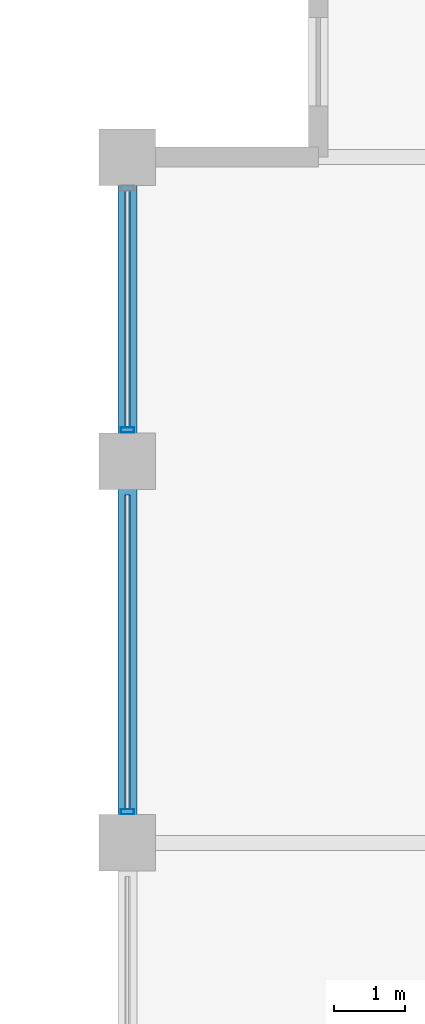
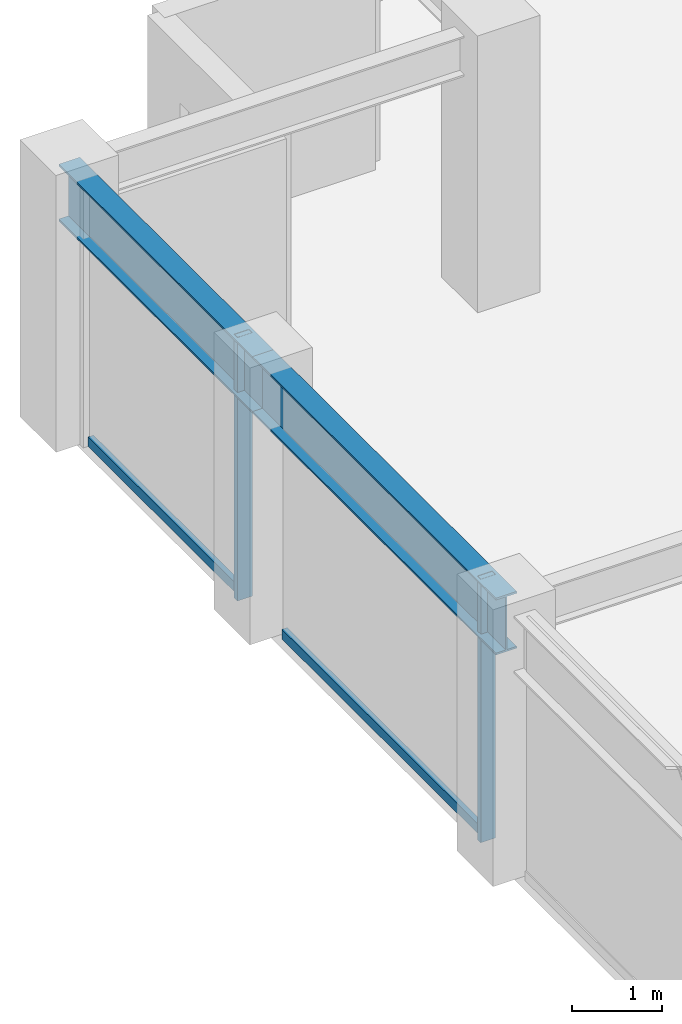
# One storey, part 14 of 30: 4 members, 2 beams, 1 element without a shape of its own.
"""IFC4 building model written with IfcOpenShell, lengths in metres."""

import ifcopenshell
import ifcopenshell.guid

model = None  # the IFC model being written
_history = None  # IfcOwnerHistory: only IFC2X3 demands one
_inside = {}  # id of a spatial element -> (the spatial element, [elements in it])
_under = {}  # id of a project, library or spatial element -> (it, [spatial elements below it])
_declared = {}  # id of a project -> (the project, [libraries it declares])
_typed = {}  # id of a type object -> (the type object, [elements of that type])
_made_of = {}  # id of a material, layer set ... -> (it, [elements and type objects made of it])


def new_model(schema):
    """Start an empty IFC model of exactly this schema.

    Asked for "IFC4X3", IfcOpenShell would pick the latest addendum, in which some entities
    have other attributes; the version numbers below select the first issue.
    IFC2X3 requires an IfcOwnerHistory on every rooted entity: one is made here for all.
    """
    global model, _history
    if schema == "IFC4X3":
        model = ifcopenshell.file(schema_version=(4, 3, 0, 0))
    else:
        model = ifcopenshell.file(schema=schema)
    _inside.clear()
    _under.clear()
    _declared.clear()
    _typed.clear()
    _made_of.clear()
    _history = None
    if model.schema == "IFC2X3":
        org = make("IfcOrganization", Name="unknown")
        user = make(
            "IfcPersonAndOrganization",
            ThePerson=make("IfcPerson", FamilyName="unknown"),
            TheOrganization=org,
        )
        app = make(
            "IfcApplication",
            ApplicationDeveloper=org,
            Version="unknown",
            ApplicationFullName="unknown",
            ApplicationIdentifier="unknown",
        )
        _history = make(
            "IfcOwnerHistory",
            OwningUser=user,
            OwningApplication=app,
            ChangeAction="ADDED",
            CreationDate=0,
        )
    return model


def make(cls, **values):
    """One entity of the class cls with the attributes given. An attribute that is None is left unset."""
    return model.create_entity(
        cls, **{name: value for name, value in values.items() if value is not None}
    )


def rooted(cls, **values):
    """An entity with a GlobalId (a new one), such as an element, a storey or a relation."""
    return make(cls, GlobalId=ifcopenshell.guid.new(), OwnerHistory=_history, **values)


def si_unit(unit_type, name, prefix=None):
    """IfcSIUnit, for example si_unit("LENGTHUNIT", "METRE", prefix="MILLI")."""
    return make("IfcSIUnit", UnitType=unit_type, Prefix=prefix, Name=name)


def assignment(units):
    """IfcUnitAssignment: the units of a project."""
    return None if units is None else make("IfcUnitAssignment", Units=units)


def point(xyz):
    """IfcCartesianPoint."""
    return None if xyz is None else make("IfcCartesianPoint", Coordinates=xyz)


def direction(xyz):
    """IfcDirection."""
    return None if xyz is None else make("IfcDirection", DirectionRatios=xyz)


def frame(location, z_axis=None, x_axis=None):
    """IfcAxis2Placement3D, a coordinate frame: its origin and axes. An axis left out is left unset."""
    return make(
        "IfcAxis2Placement3D",
        Location=point(location),
        Axis=direction(z_axis),
        RefDirection=direction(x_axis),
    )


def frame_2d(location, x_axis=None):
    """IfcAxis2Placement2D, a coordinate frame in the plane: its origin and x axis."""
    return make(
        "IfcAxis2Placement2D", Location=point(location), RefDirection=direction(x_axis)
    )


def origin():
    """The frame at (0, 0, 0) with its axes left unset."""
    return frame((0.0, 0.0, 0.0))


def origin_2d():
    """The frame at (0, 0) in the plane with its x axis left unset."""
    return frame_2d((0.0, 0.0))


def place(relative_to, where):
    """IfcLocalPlacement: puts the frame where relative to a parent placement (None: the world)."""
    return make(
        "IfcLocalPlacement", PlacementRelTo=relative_to, RelativePlacement=where
    )


def context(
    kind, dimensions, precision=None, world=None, true_north=None, identifier=None
):
    """IfcGeometricRepresentationContext, for example the 3D "Model" context."""
    return make(
        "IfcGeometricRepresentationContext",
        ContextIdentifier=identifier,
        ContextType=kind,
        CoordinateSpaceDimension=dimensions,
        Precision=precision,
        WorldCoordinateSystem=world,
        TrueNorth=true_north,
    )


def subcontext(parent, identifier, kind, view, scale=None):
    """IfcGeometricRepresentationSubContext, for example "Body" below "Model"."""
    return make(
        "IfcGeometricRepresentationSubContext",
        ContextIdentifier=identifier,
        ContextType=kind,
        ParentContext=parent,
        TargetScale=scale,
        TargetView=view,
    )


def project(units=None, contexts=None):
    """IfcProject with its units and contexts."""
    return rooted(
        "IfcProject",
        Name="project",
        RepresentationContexts=contexts,
        UnitsInContext=assignment(units),
    )


def spatial(cls, under=None, at=None, **own):
    """A site, building, storey or space (cls), placed at a placement, below another one or the project."""
    s = rooted(cls, ObjectPlacement=at, **own)
    if under is not None:
        _under.setdefault(under.id(), (under, []))[1].append(s)
    return s


def profile(cls, at=None, kind="AREA", **sizes):
    """A parametric profile (cls). Its sizes go by their IFC names, for example OverallWidth=200.0."""
    return make(cls, ProfileType=kind, Position=at, **sizes)


def hollow_rectangle(**sizes):
    """IfcRectangleHollowProfileDef."""
    return profile("IfcRectangleHollowProfileDef", **sizes)


def i_section(**sizes):
    """IfcIShapeProfileDef."""
    return profile("IfcIShapeProfileDef", **sizes)


def extrude(swept, where, along, depth):
    """IfcExtrudedAreaSolid: the profile swept, set in the frame where, extruded along a direction by depth."""
    return make(
        "IfcExtrudedAreaSolid",
        SweptArea=swept,
        Position=where,
        ExtrudedDirection=direction(along),
        Depth=depth,
    )


def shape(context_of_items, identifier, shape_type, items):
    """IfcShapeRepresentation: the items that make up one representation, for example the "Body"."""
    return make(
        "IfcShapeRepresentation",
        ContextOfItems=context_of_items,
        RepresentationIdentifier=identifier,
        RepresentationType=shape_type,
        Items=items,
    )


def material(Name=None, Category=None):
    """IfcMaterial."""
    return make("IfcMaterial", Name=Name, Category=Category)


def layer(
    of_material, thickness, ventilated=None, Name=None, Category=None, Priority=None
):
    """IfcMaterialLayer: one layer of a wall or slab, of a material (None: an air gap)."""
    return make(
        "IfcMaterialLayer",
        Material=of_material,
        LayerThickness=thickness,
        IsVentilated=ventilated,
        Name=Name,
        Category=Category,
        Priority=Priority,
    )


def layer_set(layers, Name=None):
    """IfcMaterialLayerSet."""
    return make("IfcMaterialLayerSet", MaterialLayers=layers, LayerSetName=Name)


def material_profile(
    of_material, cross_section, Name=None, Category=None, Priority=None
):
    """IfcMaterialProfile: a cross section and its material."""
    return make(
        "IfcMaterialProfile",
        Name=Name,
        Material=of_material,
        Profile=cross_section,
        Priority=Priority,
        Category=Category,
    )


def profile_set(profiles, Name=None, composite=None):
    """IfcMaterialProfileSet."""
    return make(
        "IfcMaterialProfileSet",
        Name=Name,
        MaterialProfiles=profiles,
        CompositeProfile=composite,
    )


def made_of(thing, what):
    """Note that an element or type object is made of a material, layer set ...; save() writes the relation."""
    if what is not None:
        _made_of.setdefault(what.id(), (what, []))[1].append(thing)
    return thing


def type_object(cls, material=None, **own):
    """A type object (cls), such as IfcWallType, which elements share."""
    return made_of(rooted(cls, **own), material)


def element(
    cls,
    number,
    at=None,
    inside=None,
    cuts=None,
    type_object=None,
    material=None,
    context=None,
    identifier="Body",
    shape_type=None,
    held_by="IfcProductDefinitionShape",
    body=None,
    shapes=None,
    **own,
):
    """One element of the class cls, such as IfcWall. Its Tag is "e" and its number.

    at: its placement. inside: the storey or other place that contains it. cuts: it is an
    opening in that element (IfcRelVoidsElement). A single representation is given by context,
    identifier, shape_type and body (its items); several are given by shapes. held_by: the class
    of the entity that holds the representations. save() writes the other relations.
    """
    e = rooted(cls, Tag="e%d" % number, ObjectPlacement=at, **own)
    if body is not None:
        shapes = [shape(context, identifier, shape_type, body)]
    if shapes is not None:
        e.Representation = make(held_by, Representations=shapes)
    if inside is not None:
        _inside.setdefault(inside.id(), (inside, []))[1].append(e)
    if cuts is not None:
        rooted(
            "IfcRelVoidsElement", RelatingBuildingElement=cuts, RelatedOpeningElement=e
        )
    if type_object is not None:
        _typed.setdefault(type_object.id(), (type_object, []))[1].append(e)
    return made_of(e, material)


def aggregate(whole, parts):
    """IfcRelAggregates: a whole, such as a stair, and the parts it consists of."""
    return rooted("IfcRelAggregates", RelatingObject=whole, RelatedObjects=parts)


def save(model, path):
    """Write the relations noted so far, then the file.

    IfcRelAggregates (storeys below a building ...), IfcRelContainedInSpatialStructure (elements
    in a storey), IfcRelDefinesByType, IfcRelAssociatesMaterial and IfcRelDeclares: one each for
    every whole, place, type object, material and project.
    """
    for whole, parts in _under.values():
        aggregate(whole, parts)
    for where, things in _inside.values():
        rooted(
            "IfcRelContainedInSpatialStructure",
            RelatedElements=things,
            RelatingStructure=where,
        )
    for kind, things in _typed.values():
        rooted("IfcRelDefinesByType", RelatedObjects=things, RelatingType=kind)
    for what, things in _made_of.values():
        rooted("IfcRelAssociatesMaterial", RelatedObjects=things, RelatingMaterial=what)
    for by, libraries in _declared.values():
        rooted("IfcRelDeclares", RelatingContext=by, RelatedDefinitions=libraries)
    model.write(path)


model = new_model("IFC4")

# Units and contexts
model_context = context("Model", 3, precision=1e-05, world=origin(), true_north=direction((0.0, 1.0)))
body_context = subcontext(model_context, "Body", "Model", "MODEL_VIEW")
ifc_project = project(units=[si_unit("LENGTHUNIT", "METRE"), si_unit("AREAUNIT", "SQUARE_METRE"), si_unit("VOLUMEUNIT", "CUBIC_METRE"), si_unit("PLANEANGLEUNIT", "RADIAN"), si_unit("MASSUNIT", "GRAM", prefix="KILO")], contexts=[model_context])

# Site, building, storey
site_placement = place(None, origin())
site = spatial("IfcSite", under=ifc_project, at=site_placement, CompositionType="ELEMENT")
building_placement = place(site_placement, origin())
building = spatial("IfcBuilding", under=site, at=building_placement, Name="Surkhivell Harbour Commons", CompositionType="ELEMENT")
storey_placement = place(building_placement, frame((0.0, 0.0, 231.0)))
storey = spatial("IfcBuildingStorey", under=building, at=storey_placement, Name="L60", CompositionType="ELEMENT", Elevation=231.0)

# Beams
ifc_material_1 = material(Name="Steel S355", Category="steel")
ifc_material_profile_1 = material_profile(ifc_material_1, i_section(OverallWidth=0.26806640625, OverallDepth=0.77001953125, WebThickness=0.015625, FlangeThickness=0.025390625, at=origin_2d()), Name="UB762x267x197")
ifc_profile_set_1 = profile_set([ifc_material_profile_1], Name="Steel S355")
beam_type = type_object("IfcBeamType", Name="BM-SPN-762", PredefinedType="SPANDREL", material=ifc_profile_set_1)
beam_1_placement = place(storey_placement, frame((-27.0, 10.800048828125, 3.18505859375), z_axis=(0.0, 1.0, 0.0), x_axis=(-1.0, 0.0, 0.0)))
element("IfcBeam", 1, at=beam_1_placement, inside=storey, type_object=beam_type, Name="L60 Tube Spandrel (-27.0,10.8)", PredefinedType="SPANDREL", context=body_context, shape_type="SweptSolid", body=[
    extrude(i_section(OverallWidth=0.26806640625, OverallDepth=0.77001953125, WebThickness=0.015625, FlangeThickness=0.025390625, at=origin_2d()), origin(), (0.0, 0.0, 1.0), 5.39990234375),
])
beam_2_placement = place(storey_placement, frame((-27.0, 16.199951171875, 3.18505859375), z_axis=(0.0, 1.0, 0.0), x_axis=(-1.0, 0.0, 0.0)))
element("IfcBeam", 2, at=beam_2_placement, inside=storey, type_object=beam_type, Name="L60 Tube Spandrel (-27.0,16.2)", PredefinedType="SPANDREL", context=body_context, shape_type="SweptSolid", body=[
    extrude(i_section(OverallWidth=0.26806640625, OverallDepth=0.77001953125, WebThickness=0.015625, FlangeThickness=0.025390625, at=origin_2d()), origin(), (0.0, 0.0, 1.0), 4.300048828125),
])

# Curtain wall, members
ifc_material_2 = material(Name="Anodised pale-metal aluminium and insulated glazing", Category="aluminium")
ifc_layer = layer(ifc_material_2, 0.18994140625)
ifc_layer_set = layer_set([ifc_layer], Name="Anodised pale-metal aluminium and insulated glazing")
curtain_wall_type = type_object("IfcCurtainWallType", Name="CW-SYS-Z3", PredefinedType="NOTDEFINED", material=ifc_layer_set)
curtain_wall_placement = place(storey_placement, origin())
curtain_wall = element("IfcCurtainWall", 3, at=curtain_wall_placement, inside=storey, type_object=curtain_wall_type, Name="L60 Curtain Wall CW-L60-E12R2", PredefinedType="NOTDEFINED")
ifc_material_3 = material(Name="Anodised pale-metal aluminium alloy 6063-T6", Category="aluminium")
ifc_material_profile_2 = material_profile(ifc_material_3, hollow_rectangle(XDim=0.074951171875, YDim=0.18994140625, WallThickness=0.00390625, at=origin_2d()), Name="ALU-MULL-75x190")
ifc_profile_set_2 = profile_set([ifc_material_profile_2], Name="Anodised pale-metal aluminium alloy 6063-T6")
member_type_1 = type_object("IfcMemberType", Name="CWM-190", PredefinedType="MULLION", material=ifc_profile_set_2)
member_1_placement = place(storey_placement, frame((-27.0, 11.239501953125, 0.0), z_axis=(0.0, 0.0, 1.0), x_axis=(0.0, 1.0, 0.0)))
member_1 = element("IfcMember", 4, at=member_1_placement, type_object=member_type_1, Name="CW-Z3 mullion 2", PredefinedType="MULLION", context=body_context, shape_type="SweptSolid", body=[
    extrude(hollow_rectangle(XDim=0.074951171875, YDim=0.18994140625, WallThickness=0.00390625, at=origin_2d()), origin(), (0.0, 0.0, 1.0), 3.570068359375),
])
member_2_placement = place(storey_placement, frame((-27.0, 16.639404296875, 0.0), z_axis=(0.0, 0.0, 1.0), x_axis=(0.0, 1.0, 0.0)))
member_2 = element("IfcMember", 5, at=member_2_placement, type_object=member_type_1, Name="CW-Z3 mullion 3", PredefinedType="MULLION", context=body_context, shape_type="SweptSolid", body=[
    extrude(hollow_rectangle(XDim=0.074951171875, YDim=0.18994140625, WallThickness=0.00390625, at=origin_2d()), origin(), (0.0, 0.0, 1.0), 3.570068359375),
])
ifc_material_4 = material(Name="Champagne anodised aluminium alloy 6063-T6", Category="aluminium")
ifc_material_profile_3 = material_profile(ifc_material_4, hollow_rectangle(XDim=0.070068359375, YDim=0.1298828125, WallThickness=0.00341796875, at=origin_2d()), Name="ALU-TRAN-70x130")
ifc_profile_set_3 = profile_set([ifc_material_profile_3], Name="Champagne anodised aluminium alloy 6063-T6")
member_type_2 = type_object("IfcMemberType", Name="CWT-130", PredefinedType="USERDEFINED", material=ifc_profile_set_3)
member_3_placement = place(storey_placement, frame((-27.0, 11.277099609375, 0.06494140625), z_axis=(0.0, 1.0, 0.0), x_axis=(-1.0, 0.0, 0.0)))
member_3 = element("IfcMember", 6, at=member_3_placement, type_object=member_type_2, Name="CW-Z3 transom 2.1", ObjectType="TRANSOM", PredefinedType="USERDEFINED", context=body_context, shape_type="SweptSolid", body=[
    extrude(hollow_rectangle(XDim=0.070068359375, YDim=0.1298828125, WallThickness=0.00341796875, at=origin_2d()), origin(), (0.0, 0.0, 1.0), 4.44580078125),
])
member_4_placement = place(storey_placement, frame((-27.0, 16.677001953125, 0.06494140625), z_axis=(0.0, 1.0, 0.0), x_axis=(-1.0, 0.0, 0.0)))
member_4 = element("IfcMember", 7, at=member_4_placement, type_object=member_type_2, Name="CW-Z3 transom 3.1", ObjectType="TRANSOM", PredefinedType="USERDEFINED", context=body_context, shape_type="SweptSolid", body=[
    extrude(hollow_rectangle(XDim=0.070068359375, YDim=0.1298828125, WallThickness=0.00341796875, at=origin_2d()), origin(), (0.0, 0.0, 1.0), 3.345947265625),
])
aggregate(curtain_wall, [member_1, member_3, member_2, member_4])

save(model, "model.ifc")
